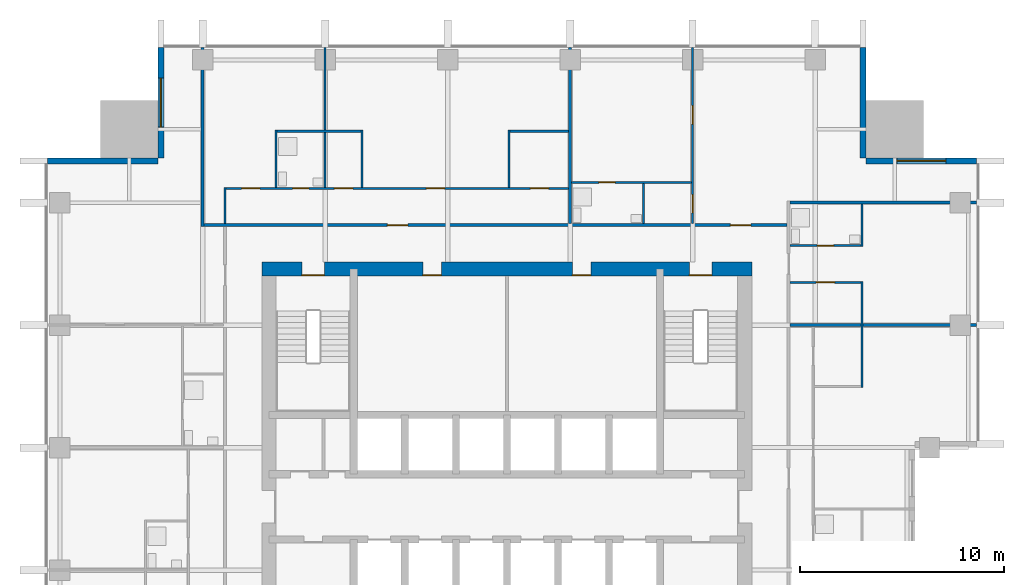
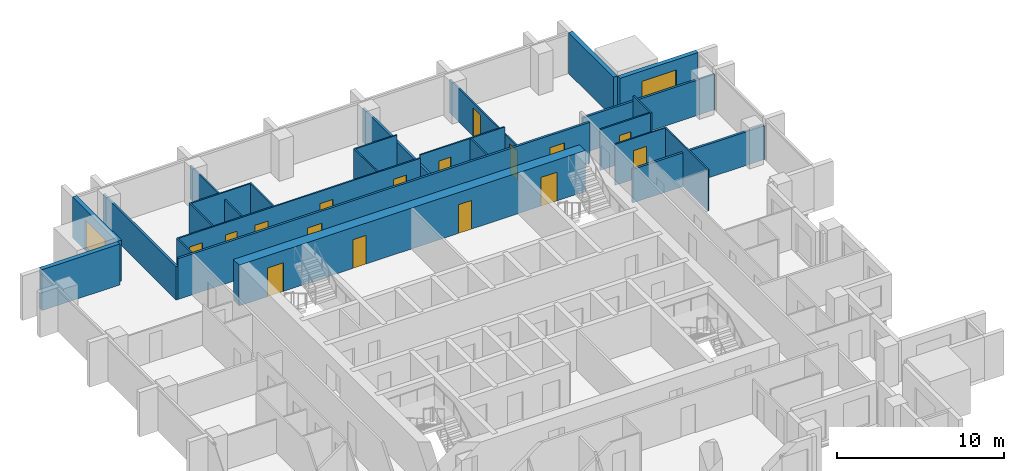
# One storey, part 7 of 10: 25 walls, 16 doors, 2 windows, 18 openings.
"""IFC4 building model written with IfcOpenShell, lengths in metres."""

from ifc_helpers import new_model, si_unit, direction, frame, frame_2d, origin, place, context, subcontext, project, spatial, rectangle, extrude, material, layer, layer_set, type_object, element, fill, save


model = new_model("IFC4")

# Units and contexts
model_context = context("Model", 3, precision=1e-05, world=origin(), true_north=direction((0.0, 1.0)))
body_context = subcontext(model_context, "Body", "Model", "MODEL_VIEW")
ifc_project = project(units=[si_unit("LENGTHUNIT", "METRE"), si_unit("AREAUNIT", "SQUARE_METRE"), si_unit("VOLUMEUNIT", "CUBIC_METRE"), si_unit("PLANEANGLEUNIT", "RADIAN"), si_unit("MASSUNIT", "GRAM", prefix="KILO")], contexts=[model_context])

# Site, building, storey
site_placement = place(None, origin())
site = spatial("IfcSite", under=ifc_project, at=site_placement, CompositionType="ELEMENT")
building_placement = place(site_placement, origin())
building = spatial("IfcBuilding", under=site, at=building_placement, Name="Amberfall Residences", CompositionType="ELEMENT")
storey_placement = place(building_placement, frame((0.0, 0.0, 147.10009765625)))
storey = spatial("IfcBuildingStorey", under=building, at=storey_placement, Name="L39", CompositionType="ELEMENT", Elevation=147.10009765625)

# Wall, opening, window
ifc_material_1 = material(Name="Pale stone cladding on insulated backing", Category="masonry")
ifc_layer_1 = layer(ifc_material_1, 0.300048828125)
ifc_layer_set_1 = layer_set([ifc_layer_1], Name="Bronze clad wall 300")
wall_type_1 = type_object("IfcWallType", Name="Bronze clad wall 300", PredefinedType="SOLIDWALL", material=ifc_layer_set_1)
wall_1_placement = place(storey_placement, frame((97.5, 62.449951171875, 0.0), z_axis=(0.0, 0.0, 1.0), x_axis=(-1.0, 0.0, 0.0)))
wall_1 = element("IfcWall", 1, at=wall_1_placement, inside=storey, type_object=wall_type_1, Name="External wall L39 NE", PredefinedType="SOLIDWALL", context=body_context, shape_type="SweptSolid", body=[
    extrude(rectangle(XDim=5.39990234375, YDim=0.300048828125, at=frame_2d((2.699951171875, 0.0))), origin(), (0.0, 0.0, 1.0), 3.0),
])
opening_1_placement = place(wall_1_placement, frame((1.5, 0.0, 0.14990234375)))
opening_1 = element("IfcOpeningElement", 2, at=opening_1_placement, cuts=wall_1, Name="Opening WN5", PredefinedType="OPENING", context=body_context, shape_type="SweptSolid", body=[
    extrude(rectangle(XDim=2.39990234375, YDim=2.10009765625, at=frame_2d((1.199951171875, 1.050048828125))), frame((0.0, 0.159912109375, 0.0), z_axis=(0.0, -1.0, 0.0), x_axis=(1.0, 0.0, 0.0)), (0.0, 0.0, 1.0), 0.320068359375),
])
ifc_material_2 = material(Name="Bronze aluminium framed glazing", Category="aluminium")
window_type = type_object("IfcWindowType", Name="Glazed opening 2400 x 2100 bronze", PartitioningType="DOUBLE_PANEL_VERTICAL", PredefinedType="WINDOW", material=ifc_material_2)
window_1_placement = place(opening_1_placement, origin())
window_1 = element("IfcWindow", 3, at=window_1_placement, inside=storey, type_object=window_type, Name="Window L39 NE", OverallHeight=2.10009765625, OverallWidth=2.39990234375, PartitioningType="DOUBLE_PANEL_VERTICAL", PredefinedType="WINDOW", context=body_context, shape_type="SweptSolid", body=[
    extrude(rectangle(XDim=2.39990234375, YDim=2.10009765625, at=frame_2d((1.199951171875, 1.050048828125))), frame((0.0, 0.030029296875, 0.0), z_axis=(0.0, -1.0, 0.0), x_axis=(1.0, 0.0, 0.0)), (0.0, 0.0, 1.0), 0.06005859375),
])
fill(opening_1, window_1)

# Wall
wall_2_placement = place(storey_placement, frame((91.949951171875, 62.60009765625, 0.0), z_axis=(0.0, 0.0, 1.0), x_axis=(0.0, 1.0, 0.0)))
element("IfcWall", 4, at=wall_2_placement, inside=storey, type_object=wall_type_1, Name="External wall L39 NE", PredefinedType="SOLIDWALL", context=body_context, shape_type="SweptSolid", body=[
    extrude(rectangle(XDim=5.39990234375, YDim=0.300048828125, at=frame_2d((2.699951171875, 0.0))), origin(), (0.0, 0.0, 1.0), 3.0),
])

# Wall, opening, window
wall_3_placement = place(storey_placement, frame((57.550048828125, 68.0, 0.0), z_axis=(0.0, 0.0, 1.0), x_axis=(0.0, -1.0, 0.0)))
wall_3 = element("IfcWall", 5, at=wall_3_placement, inside=storey, type_object=wall_type_1, Name="External wall L39 NW", PredefinedType="SOLIDWALL", context=body_context, shape_type="SweptSolid", body=[
    extrude(rectangle(XDim=5.39990234375, YDim=0.300048828125, at=frame_2d((2.699951171875, 0.0))), origin(), (0.0, 0.0, 1.0), 3.0),
])
opening_2_placement = place(wall_3_placement, frame((1.5, 0.0, 0.14990234375)))
opening_2 = element("IfcOpeningElement", 6, at=opening_2_placement, cuts=wall_3, Name="Opening WN5", PredefinedType="OPENING", context=body_context, shape_type="SweptSolid", body=[
    extrude(rectangle(XDim=2.39990234375, YDim=2.10009765625, at=frame_2d((1.199951171875, 1.050048828125))), frame((0.0, 0.159912109375, 0.0), z_axis=(0.0, -1.0, 0.0), x_axis=(1.0, 0.0, 0.0)), (0.0, 0.0, 1.0), 0.320068359375),
])
window_2_placement = place(opening_2_placement, origin())
window_2 = element("IfcWindow", 7, at=window_2_placement, inside=storey, type_object=window_type, Name="Window L39 NW", OverallHeight=2.10009765625, OverallWidth=2.39990234375, PartitioningType="DOUBLE_PANEL_VERTICAL", PredefinedType="WINDOW", context=body_context, shape_type="SweptSolid", body=[
    extrude(rectangle(XDim=2.39990234375, YDim=2.10009765625, at=frame_2d((1.199951171875, 1.050048828125))), frame((0.0, 0.030029296875, 0.0), z_axis=(0.0, -1.0, 0.0), x_axis=(1.0, 0.0, 0.0)), (0.0, 0.0, 1.0), 0.06005859375),
])
fill(opening_2, window_2)

# Wall
wall_4_placement = place(storey_placement, frame((57.39990234375, 62.449951171875, 0.0), z_axis=(0.0, 0.0, 1.0), x_axis=(-1.0, 0.0, 0.0)))
element("IfcWall", 8, at=wall_4_placement, inside=storey, type_object=wall_type_1, Name="External wall L39 NW", PredefinedType="SOLIDWALL", context=body_context, shape_type="SweptSolid", body=[
    extrude(rectangle(XDim=5.39990234375, YDim=0.300048828125, at=frame_2d((2.699951171875, 0.0))), origin(), (0.0, 0.0, 1.0), 3.0),
])

# Wall, openings, doors
ifc_material_3 = material(Name="Concrete C60", Category="concrete")
ifc_layer_2 = layer(ifc_material_3, 0.699951171875)
ifc_layer_set_2 = layer_set([ifc_layer_2], Name="Core wall 700 C60")
wall_type_2 = type_object("IfcWallType", Name="Core wall 700 C60", PredefinedType="SHEAR", material=ifc_layer_set_2)
wall_5_placement = place(storey_placement, frame((62.5, 57.14990234375, 0.0), z_axis=(0.0, 0.0, 1.0), x_axis=(1.0, 0.0, 0.0)))
wall_5 = element("IfcWall", 9, at=wall_5_placement, inside=storey, type_object=wall_type_2, Name="Core wall RW5 L39 ON", PredefinedType="SHEAR", context=body_context, shape_type="SweptSolid", body=[
    extrude(rectangle(XDim=24.0, YDim=0.699951171875, at=frame_2d((12.0, 0.0))), origin(), (0.0, 0.0, 1.0), 3.0),
])
opening_3_placement = place(wall_5_placement, frame((20.9375, 0.0, 0.0)))
opening_3 = element("IfcOpeningElement", 10, at=opening_3_placement, cuts=wall_5, Name="Opening SD1", PredefinedType="OPENING", context=body_context, shape_type="SweptSolid", body=[
    extrude(rectangle(XDim=1.10009765625, YDim=2.10009765625, at=frame_2d((0.550048828125, 1.050048828125))), frame((0.0, 0.35986328125, 0.0), z_axis=(0.0, -1.0, 0.0), x_axis=(1.0, 0.0, 0.0)), (0.0, 0.0, 1.0), 0.719970703125),
])
opening_4_placement = place(wall_5_placement, frame((1.96240234375, 0.0, 0.0)))
opening_4 = element("IfcOpeningElement", 11, at=opening_4_placement, cuts=wall_5, Name="Opening SD1", PredefinedType="OPENING", context=body_context, shape_type="SweptSolid", body=[
    extrude(rectangle(XDim=1.10009765625, YDim=2.10009765625, at=frame_2d((0.550048828125, 1.050048828125))), frame((0.0, 0.35986328125, 0.0), z_axis=(0.0, -1.0, 0.0), x_axis=(1.0, 0.0, 0.0)), (0.0, 0.0, 1.0), 0.719970703125),
])
opening_5_placement = place(wall_5_placement, frame((7.887451171875, 0.0, 0.0)))
opening_5 = element("IfcOpeningElement", 12, at=opening_5_placement, cuts=wall_5, Name="Opening RD1", PredefinedType="OPENING", context=body_context, shape_type="SweptSolid", body=[
    extrude(rectangle(XDim=0.89990234375, YDim=2.10009765625, at=frame_2d((0.449951171875, 1.050048828125))), frame((0.0, 0.35986328125, 0.0), z_axis=(0.0, -1.0, 0.0), x_axis=(1.0, 0.0, 0.0)), (0.0, 0.0, 1.0), 0.719970703125),
])
opening_6_placement = place(wall_5_placement, frame((15.21240234375, 0.0, 0.0)))
opening_6 = element("IfcOpeningElement", 13, at=opening_6_placement, cuts=wall_5, Name="Opening RD1", PredefinedType="OPENING", context=body_context, shape_type="SweptSolid", body=[
    extrude(rectangle(XDim=0.89990234375, YDim=2.10009765625, at=frame_2d((0.449951171875, 1.050048828125))), frame((0.0, 0.35986328125, 0.0), z_axis=(0.0, -1.0, 0.0), x_axis=(1.0, 0.0, 0.0)), (0.0, 0.0, 1.0), 0.719970703125),
])
ifc_material_4 = material(Name="Steel fire door set", Category="steel")
door_type_1 = type_object("IfcDoorType", Name="Service room door 900 x 2100", OperationType="SINGLE_SWING_LEFT", PredefinedType="DOOR", material=ifc_material_4)
door_1_placement = place(opening_5_placement, origin())
door_1 = element("IfcDoor", 14, at=door_1_placement, inside=storey, type_object=door_type_1, Name="RD1 L39", OperationType="SINGLE_SWING_RIGHT", OverallHeight=2.10009765625, OverallWidth=0.89990234375, PredefinedType="DOOR", context=body_context, shape_type="SweptSolid", body=[
    extrude(rectangle(XDim=0.89990234375, YDim=2.10009765625, at=frame_2d((0.449951171875, 1.050048828125))), frame((0.0, -0.28759765625, 0.0), z_axis=(0.0, -1.0, 0.0), x_axis=(1.0, 0.0, 0.0)), (0.0, 0.0, 1.0), 0.050048828125),
])
fill(opening_5, door_1)
door_2_placement = place(opening_6_placement, origin())
door_2 = element("IfcDoor", 15, at=door_2_placement, inside=storey, type_object=door_type_1, Name="RD1 L39", OperationType="SINGLE_SWING_RIGHT", OverallHeight=2.10009765625, OverallWidth=0.89990234375, PredefinedType="DOOR", context=body_context, shape_type="SweptSolid", body=[
    extrude(rectangle(XDim=0.89990234375, YDim=2.10009765625, at=frame_2d((0.449951171875, 1.050048828125))), frame((0.0, -0.28759765625, 0.0), z_axis=(0.0, -1.0, 0.0), x_axis=(1.0, 0.0, 0.0)), (0.0, 0.0, 1.0), 0.050048828125),
])
fill(opening_6, door_2)
door_type_2 = type_object("IfcDoorType", Name="Stair door 1100 x 2100", OperationType="SINGLE_SWING_LEFT", PredefinedType="DOOR", material=ifc_material_4)
door_3_placement = place(opening_3_placement, origin())
door_3 = element("IfcDoor", 16, at=door_3_placement, inside=storey, type_object=door_type_2, Name="SD1 L39", OperationType="SINGLE_SWING_RIGHT", OverallHeight=2.10009765625, OverallWidth=1.10009765625, PredefinedType="DOOR", context=body_context, shape_type="SweptSolid", body=[
    extrude(rectangle(XDim=1.10009765625, YDim=2.10009765625, at=frame_2d((0.550048828125, 1.050048828125))), frame((0.0, -0.28759765625, 0.0), z_axis=(0.0, -1.0, 0.0), x_axis=(1.0, 0.0, 0.0)), (0.0, 0.0, 1.0), 0.050048828125),
])
fill(opening_3, door_3)
door_4_placement = place(opening_4_placement, origin())
door_4 = element("IfcDoor", 17, at=door_4_placement, inside=storey, type_object=door_type_2, Name="SD1 L39", OperationType="SINGLE_SWING_LEFT", OverallHeight=2.10009765625, OverallWidth=1.10009765625, PredefinedType="DOOR", context=body_context, shape_type="SweptSolid", body=[
    extrude(rectangle(XDim=1.10009765625, YDim=2.10009765625, at=frame_2d((0.550048828125, 1.050048828125))), frame((0.0, -0.28759765625, 0.0), z_axis=(0.0, -1.0, 0.0), x_axis=(1.0, 0.0, 0.0)), (0.0, 0.0, 1.0), 0.050048828125),
])
fill(opening_4, door_4)

# Walls
ifc_material_5 = material(Name="Gypsum board on metal stud")
ifc_layer_3 = layer(ifc_material_5, 0.10009765625)
ifc_layer_set_3 = layer_set([ifc_layer_3], Name="Flat partition 100")
wall_type_3 = type_object("IfcWallType", Name="Flat partition 100", PredefinedType="PARTITIONING", material=ifc_layer_set_3)
wall_6_placement = place(storey_placement, frame((60.699951171875, 59.375, 0.0), z_axis=(0.0, 0.0, 1.0), x_axis=(0.0, 1.0, 0.0)))
element("IfcWall", 18, at=wall_6_placement, inside=storey, type_object=wall_type_3, Name="Partition 005", PredefinedType="PARTITIONING", context=body_context, shape_type="SweptSolid", body=[
    extrude(rectangle(XDim=1.77490234375, YDim=0.10009765625, at=frame_2d((0.887451171875, 0.0))), origin(), (0.0, 0.0, 1.0), 3.0),
])
wall_7_placement = place(storey_placement, frame((63.199951171875, 61.14990234375, 0.0), z_axis=(0.0, 0.0, 1.0), x_axis=(0.0, 1.0, 0.0)))
element("IfcWall", 19, at=wall_7_placement, inside=storey, type_object=wall_type_3, Name="Partition 006", PredefinedType="PARTITIONING", context=body_context, shape_type="SweptSolid", body=[
    extrude(rectangle(XDim=2.800048828125, YDim=0.10009765625, at=frame_2d((1.39990234375, 0.0))), origin(), (0.0, 0.0, 1.0), 3.0),
])
wall_8_placement = place(storey_placement, frame((65.60009765625, 61.14990234375, 0.0), z_axis=(0.0, 0.0, 1.0), x_axis=(0.0, 1.0, 0.0)))
element("IfcWall", 20, at=wall_8_placement, inside=storey, type_object=wall_type_3, Name="Partition 008", PredefinedType="PARTITIONING", context=body_context, shape_type="SweptSolid", body=[
    extrude(rectangle(XDim=6.85009765625, YDim=0.10009765625, at=frame_2d((3.425048828125, 0.0))), origin(), (0.0, 0.0, 1.0), 2.4658203125),
])
for number, where, z_axis, x_axis, name in (
    (21, (67.39990234375, 61.14990234375, 0.0), (0.0, 0.0, 1.0), (0.0, 1.0, 0.0), "Partition 009"),
    (22, (74.60009765625, 61.14990234375, 0.0), (0.0, 0.0, 1.0), (0.0, 1.0, 0.0), "Partition 012"),
):
    element("IfcWall", number, at=place(storey_placement, frame(where, z_axis=z_axis, x_axis=x_axis)), inside=storey, type_object=wall_type_3, Name=name, PredefinedType="PARTITIONING", context=body_context, shape_type="SweptSolid", body=[
        extrude(rectangle(XDim=2.800048828125, YDim=0.10009765625, at=frame_2d((1.39990234375, 0.0))), origin(), (0.0, 0.0, 1.0), 3.0),
    ])
wall_9_placement = place(storey_placement, frame((81.199951171875, 59.375, 0.0), z_axis=(0.0, 0.0, 1.0), x_axis=(0.0, 1.0, 0.0)))
element("IfcWall", 23, at=wall_9_placement, inside=storey, type_object=wall_type_3, Name="Partition 013", PredefinedType="PARTITIONING", context=body_context, shape_type="SweptSolid", body=[
    extrude(rectangle(XDim=1.97509765625, YDim=0.10009765625, at=frame_2d((0.987548828125, 0.0))), origin(), (0.0, 0.0, 1.0), 3.0),
])

# Wall, openings, doors
wall_10_placement = place(storey_placement, frame((83.60009765625, 59.375, 0.0), z_axis=(0.0, 0.0, 1.0), x_axis=(0.0, 1.0, 0.0)))
wall_10 = element("IfcWall", 24, at=wall_10_placement, inside=storey, type_object=wall_type_3, Name="Partition 015", PredefinedType="PARTITIONING", context=body_context, shape_type="SweptSolid", body=[
    extrude(rectangle(XDim=8.625, YDim=0.10009765625, at=frame_2d((4.3125, 0.0))), origin(), (0.0, 0.0, 1.0), 2.4658203125),
])
opening_7_placement = place(wall_10_placement, frame((0.52490234375, 0.0, 0.0)))
opening_7 = element("IfcOpeningElement", 25, at=opening_7_placement, cuts=wall_10, Name="Opening D41", PredefinedType="OPENING", context=body_context, shape_type="SweptSolid", body=[
    extrude(rectangle(XDim=0.89990234375, YDim=2.10009765625, at=frame_2d((0.449951171875, 1.050048828125))), frame((0.0, 0.06005859375, 0.0), z_axis=(0.0, -1.0, 0.0), x_axis=(1.0, 0.0, 0.0)), (0.0, 0.0, 1.0), 0.1201171875),
])
opening_8_placement = place(wall_10_placement, frame((4.875, 0.0, 0.0)))
opening_8 = element("IfcOpeningElement", 26, at=opening_8_placement, cuts=wall_10, Name="Opening D41", PredefinedType="OPENING", context=body_context, shape_type="SweptSolid", body=[
    extrude(rectangle(XDim=0.89990234375, YDim=2.10009765625, at=frame_2d((0.449951171875, 1.050048828125))), frame((0.0, 0.06005859375, 0.0), z_axis=(0.0, -1.0, 0.0), x_axis=(1.0, 0.0, 0.0)), (0.0, 0.0, 1.0), 0.1201171875),
])
ifc_material_6 = material(Name="Timber", Category="wood")
door_type_3 = type_object("IfcDoorType", Name="Internal door 900 x 2100", OperationType="SINGLE_SWING_LEFT", PredefinedType="DOOR", material=ifc_material_6)
door_5_placement = place(opening_7_placement, origin())
door_5 = element("IfcDoor", 27, at=door_5_placement, inside=storey, type_object=door_type_3, Name="Door 3907 kitchen", OperationType="SINGLE_SWING_LEFT", OverallHeight=2.10009765625, OverallWidth=0.89990234375, PredefinedType="DOOR", context=body_context, shape_type="SweptSolid", body=[
    extrude(rectangle(XDim=0.89990234375, YDim=2.10009765625, at=frame_2d((0.449951171875, 1.050048828125))), frame((0.0, 0.02490234375, 0.0), z_axis=(0.0, -1.0, 0.0), x_axis=(1.0, 0.0, 0.0)), (0.0, 0.0, 1.0), 0.050048828125),
])
fill(opening_7, door_5)
door_6_placement = place(opening_8_placement, origin())
door_6 = element("IfcDoor", 28, at=door_6_placement, inside=storey, type_object=door_type_3, Name="Door 3907 bedroom1", OperationType="SINGLE_SWING_LEFT", OverallHeight=2.10009765625, OverallWidth=0.89990234375, PredefinedType="DOOR", context=body_context, shape_type="SweptSolid", body=[
    extrude(rectangle(XDim=0.89990234375, YDim=2.10009765625, at=frame_2d((0.449951171875, 1.050048828125))), frame((0.0, 0.02490234375, 0.0), z_axis=(0.0, -1.0, 0.0), x_axis=(1.0, 0.0, 0.0)), (0.0, 0.0, 1.0), 0.050048828125),
])
fill(opening_8, door_6)

# Walls
wall_11_placement = place(storey_placement, frame((91.89990234375, 51.35009765625, 0.0), z_axis=(0.0, 0.0, 1.0), x_axis=(0.0, 1.0, 0.0)))
element("IfcWall", 29, at=wall_11_placement, inside=storey, type_object=wall_type_3, Name="Partition 020", PredefinedType="PARTITIONING", context=body_context, shape_type="SweptSolid", body=[
    extrude(rectangle(XDim=5.199951171875, YDim=0.10009765625, at=frame_2d((2.60009765625, 0.0))), origin(), (0.0, 0.0, 1.0), 3.0),
])
wall_12_placement = place(storey_placement, frame((91.89990234375, 58.25, 0.0), z_axis=(0.0, 0.0, 1.0), x_axis=(0.0, 1.0, 0.0)))
element("IfcWall", 30, at=wall_12_placement, inside=storey, type_object=wall_type_3, Name="Partition 021", PredefinedType="PARTITIONING", context=body_context, shape_type="SweptSolid", body=[
    extrude(rectangle(XDim=2.074951171875, YDim=0.10009765625, at=frame_2d((1.03759765625, 0.0))), origin(), (0.0, 0.0, 1.0), 3.0),
])
wall_13_placement = place(storey_placement, frame((63.25, 63.89990234375, 0.0), z_axis=(0.0, 0.0, 1.0), x_axis=(1.0, 0.0, 0.0)))
element("IfcWall", 31, at=wall_13_placement, inside=storey, type_object=wall_type_3, Name="Partition 022", PredefinedType="PARTITIONING", context=body_context, shape_type="SweptSolid", body=[
    extrude(rectangle(XDim=4.10009765625, YDim=0.10009765625, at=frame_2d((2.050048828125, 0.0))), origin(), (0.0, 0.0, 1.0), 3.0),
])
wall_14_placement = place(storey_placement, frame((74.64990234375, 63.89990234375, 0.0), z_axis=(0.0, 0.0, 1.0), x_axis=(1.0, 0.0, 0.0)))
element("IfcWall", 32, at=wall_14_placement, inside=storey, type_object=wall_type_3, Name="Partition 023", PredefinedType="PARTITIONING", context=body_context, shape_type="SweptSolid", body=[
    extrude(rectangle(XDim=2.875, YDim=0.10009765625, at=frame_2d((1.4375, 0.0))), origin(), (0.0, 0.0, 1.0), 3.0),
])

# Wall, opening, door
wall_15_placement = place(storey_placement, frame((83.550048828125, 61.39990234375, 0.0), z_axis=(0.0, 0.0, 1.0), x_axis=(-1.0, 0.0, 0.0)))
wall_15 = element("IfcWall", 33, at=wall_15_placement, inside=storey, type_object=wall_type_3, Name="Partition 024", PredefinedType="PARTITIONING", context=body_context, shape_type="SweptSolid", body=[
    extrude(rectangle(XDim=5.875, YDim=0.10009765625, at=frame_2d((2.9375, 0.0))), origin(), (0.0, 0.0, 1.0), 3.0),
])
opening_9_placement = place(wall_15_placement, frame((3.75, 0.0, 0.0)))
opening_9 = element("IfcOpeningElement", 34, at=opening_9_placement, cuts=wall_15, Name="Opening D42", PredefinedType="OPENING", context=body_context, shape_type="SweptSolid", body=[
    extrude(rectangle(XDim=0.800048828125, YDim=2.10009765625, at=frame_2d((0.39990234375, 1.050048828125))), frame((0.0, 0.06005859375, 0.0), z_axis=(0.0, -1.0, 0.0), x_axis=(1.0, 0.0, 0.0)), (0.0, 0.0, 1.0), 0.1201171875),
])
door_type_4 = type_object("IfcDoorType", Name="Bathroom door 800 x 2100", OperationType="SINGLE_SWING_LEFT", PredefinedType="DOOR", material=ifc_material_6)
door_7_placement = place(opening_9_placement, origin())
door_7 = element("IfcDoor", 35, at=door_7_placement, inside=storey, type_object=door_type_4, Name="Door 3907 bath1", OperationType="SINGLE_SWING_LEFT", OverallHeight=2.10009765625, OverallWidth=0.800048828125, PredefinedType="DOOR", context=body_context, shape_type="SweptSolid", body=[
    extrude(rectangle(XDim=0.800048828125, YDim=2.10009765625, at=frame_2d((0.39990234375, 1.050048828125))), frame((0.0, 0.02490234375, 0.0), z_axis=(0.0, -1.0, 0.0), x_axis=(1.0, 0.0, 0.0)), (0.0, 0.0, 1.0), 0.050048828125),
])
fill(opening_9, door_7)

# Wall, openings, doors
wall_16_placement = place(storey_placement, frame((60.75, 61.10009765625, 0.0), z_axis=(0.0, 0.0, 1.0), x_axis=(1.0, 0.0, 0.0)))
wall_16 = element("IfcWall", 36, at=wall_16_placement, inside=storey, type_object=wall_type_3, Name="Partition 025", PredefinedType="PARTITIONING", context=body_context, shape_type="SweptSolid", body=[
    extrude(rectangle(XDim=16.77490234375, YDim=0.10009765625, at=frame_2d((8.387451171875, 0.0))), origin(), (0.0, 0.0, 1.0), 3.0),
])
opening_10_placement = place(wall_16_placement, frame((9.800048828125, 0.0, 0.0)))
opening_10 = element("IfcOpeningElement", 37, at=opening_10_placement, cuts=wall_16, Name="Opening D41", PredefinedType="OPENING", context=body_context, shape_type="SweptSolid", body=[
    extrude(rectangle(XDim=0.89990234375, YDim=2.10009765625, at=frame_2d((0.449951171875, 1.050048828125))), frame((0.0, 0.06005859375, 0.0), z_axis=(0.0, -1.0, 0.0), x_axis=(1.0, 0.0, 0.0)), (0.0, 0.0, 1.0), 0.1201171875),
])
opening_11_placement = place(wall_16_placement, frame((14.89990234375, 0.0, 0.0)))
opening_11 = element("IfcOpeningElement", 38, at=opening_11_placement, cuts=wall_16, Name="Opening D41", PredefinedType="OPENING", context=body_context, shape_type="SweptSolid", body=[
    extrude(rectangle(XDim=0.89990234375, YDim=2.10009765625, at=frame_2d((0.449951171875, 1.050048828125))), frame((0.0, 0.06005859375, 0.0), z_axis=(0.0, -1.0, 0.0), x_axis=(1.0, 0.0, 0.0)), (0.0, 0.0, 1.0), 0.1201171875),
])
opening_12_placement = place(wall_16_placement, frame((5.300048828125, 0.0, 0.0)))
opening_12 = element("IfcOpeningElement", 39, at=opening_12_placement, cuts=wall_16, Name="Opening D41", PredefinedType="OPENING", context=body_context, shape_type="SweptSolid", body=[
    extrude(rectangle(XDim=0.89990234375, YDim=2.10009765625, at=frame_2d((0.449951171875, 1.050048828125))), frame((0.0, 0.06005859375, 0.0), z_axis=(0.0, -1.0, 0.0), x_axis=(1.0, 0.0, 0.0)), (0.0, 0.0, 1.0), 0.1201171875),
])
opening_13_placement = place(wall_16_placement, frame((0.75, 0.0, 0.0)))
opening_13 = element("IfcOpeningElement", 40, at=opening_13_placement, cuts=wall_16, Name="Opening D41", PredefinedType="OPENING", context=body_context, shape_type="SweptSolid", body=[
    extrude(rectangle(XDim=0.89990234375, YDim=2.10009765625, at=frame_2d((0.449951171875, 1.050048828125))), frame((0.0, 0.06005859375, 0.0), z_axis=(0.0, -1.0, 0.0), x_axis=(1.0, 0.0, 0.0)), (0.0, 0.0, 1.0), 0.1201171875),
])
opening_14_placement = place(wall_16_placement, frame((3.25, 0.0, 0.0)))
opening_14 = element("IfcOpeningElement", 41, at=opening_14_placement, cuts=wall_16, Name="Opening D42", PredefinedType="OPENING", context=body_context, shape_type="SweptSolid", body=[
    extrude(rectangle(XDim=0.800048828125, YDim=2.10009765625, at=frame_2d((0.39990234375, 1.050048828125))), frame((0.0, 0.06005859375, 0.0), z_axis=(0.0, -1.0, 0.0), x_axis=(1.0, 0.0, 0.0)), (0.0, 0.0, 1.0), 0.1201171875),
])
door_8_placement = place(opening_14_placement, origin())
door_8 = element("IfcDoor", 42, at=door_8_placement, inside=storey, type_object=door_type_4, Name="Door 3906 bath1", OperationType="SINGLE_SWING_LEFT", OverallHeight=2.10009765625, OverallWidth=0.800048828125, PredefinedType="DOOR", context=body_context, shape_type="SweptSolid", body=[
    extrude(rectangle(XDim=0.800048828125, YDim=2.10009765625, at=frame_2d((0.39990234375, 1.050048828125))), frame((0.0, 0.02490234375, 0.0), z_axis=(0.0, -1.0, 0.0), x_axis=(1.0, 0.0, 0.0)), (0.0, 0.0, 1.0), 0.050048828125),
])
fill(opening_14, door_8)
door_9_placement = place(opening_10_placement, origin())
door_9 = element("IfcDoor", 43, at=door_9_placement, inside=storey, type_object=door_type_3, Name="Door 3906 living", OperationType="SINGLE_SWING_LEFT", OverallHeight=2.10009765625, OverallWidth=0.89990234375, PredefinedType="DOOR", context=body_context, shape_type="SweptSolid", body=[
    extrude(rectangle(XDim=0.89990234375, YDim=2.10009765625, at=frame_2d((0.449951171875, 1.050048828125))), frame((0.0, 0.02490234375, 0.0), z_axis=(0.0, -1.0, 0.0), x_axis=(1.0, 0.0, 0.0)), (0.0, 0.0, 1.0), 0.050048828125),
])
fill(opening_10, door_9)
door_10_placement = place(opening_11_placement, origin())
door_10 = element("IfcDoor", 44, at=door_10_placement, inside=storey, type_object=door_type_3, Name="Door 3906 kitchen", OperationType="SINGLE_SWING_LEFT", OverallHeight=2.10009765625, OverallWidth=0.89990234375, PredefinedType="DOOR", context=body_context, shape_type="SweptSolid", body=[
    extrude(rectangle(XDim=0.89990234375, YDim=2.10009765625, at=frame_2d((0.449951171875, 1.050048828125))), frame((0.0, 0.02490234375, 0.0), z_axis=(0.0, -1.0, 0.0), x_axis=(1.0, 0.0, 0.0)), (0.0, 0.0, 1.0), 0.050048828125),
])
fill(opening_11, door_10)
door_11_placement = place(opening_12_placement, origin())
door_11 = element("IfcDoor", 45, at=door_11_placement, inside=storey, type_object=door_type_3, Name="Door 3906 store", OperationType="SINGLE_SWING_LEFT", OverallHeight=2.10009765625, OverallWidth=0.89990234375, PredefinedType="DOOR", context=body_context, shape_type="SweptSolid", body=[
    extrude(rectangle(XDim=0.89990234375, YDim=2.10009765625, at=frame_2d((0.449951171875, 1.050048828125))), frame((0.0, 0.02490234375, 0.0), z_axis=(0.0, -1.0, 0.0), x_axis=(1.0, 0.0, 0.0)), (0.0, 0.0, 1.0), 0.050048828125),
])
fill(opening_12, door_11)
door_12_placement = place(opening_13_placement, origin())
door_12 = element("IfcDoor", 46, at=door_12_placement, inside=storey, type_object=door_type_3, Name="Door 3906 bedroom1", OperationType="SINGLE_SWING_LEFT", OverallHeight=2.10009765625, OverallWidth=0.89990234375, PredefinedType="DOOR", context=body_context, shape_type="SweptSolid", body=[
    extrude(rectangle(XDim=0.89990234375, YDim=2.10009765625, at=frame_2d((0.449951171875, 1.050048828125))), frame((0.0, 0.02490234375, 0.0), z_axis=(0.0, -1.0, 0.0), x_axis=(1.0, 0.0, 0.0)), (0.0, 0.0, 1.0), 0.050048828125),
])
fill(opening_13, door_12)

# Wall, opening, door
wall_17_placement = place(storey_placement, frame((88.375, 58.300048828125, 0.0), z_axis=(0.0, 0.0, 1.0), x_axis=(1.0, 0.0, 0.0)))
wall_17 = element("IfcWall", 47, at=wall_17_placement, inside=storey, type_object=wall_type_3, Name="Partition 026", PredefinedType="PARTITIONING", context=body_context, shape_type="SweptSolid", body=[
    extrude(rectangle(XDim=3.47509765625, YDim=0.10009765625, at=frame_2d((1.737548828125, 0.0))), origin(), (0.0, 0.0, 1.0), 3.0),
])
opening_15_placement = place(wall_17_placement, frame((1.324951171875, 0.0, 0.0)))
opening_15 = element("IfcOpeningElement", 48, at=opening_15_placement, cuts=wall_17, Name="Opening D42", PredefinedType="OPENING", context=body_context, shape_type="SweptSolid", body=[
    extrude(rectangle(XDim=0.800048828125, YDim=2.10009765625, at=frame_2d((0.39990234375, 1.050048828125))), frame((0.0, 0.06005859375, 0.0), z_axis=(0.0, -1.0, 0.0), x_axis=(1.0, 0.0, 0.0)), (0.0, 0.0, 1.0), 0.1201171875),
])
door_13_placement = place(opening_15_placement, origin())
door_13 = element("IfcDoor", 49, at=door_13_placement, inside=storey, type_object=door_type_4, Name="Door 3905 bath1", OperationType="SINGLE_SWING_LEFT", OverallHeight=2.10009765625, OverallWidth=0.800048828125, PredefinedType="DOOR", context=body_context, shape_type="SweptSolid", body=[
    extrude(rectangle(XDim=0.800048828125, YDim=2.10009765625, at=frame_2d((0.39990234375, 1.050048828125))), frame((0.0, 0.02490234375, 0.0), z_axis=(0.0, -1.0, 0.0), x_axis=(1.0, 0.0, 0.0)), (0.0, 0.0, 1.0), 0.050048828125),
])
fill(opening_15, door_13)

wall_18_placement = place(storey_placement, frame((91.85009765625, 56.5, 0.0), z_axis=(0.0, 0.0, 1.0), x_axis=(-1.0, 0.0, 0.0)))
wall_18 = element("IfcWall", 50, at=wall_18_placement, inside=storey, type_object=wall_type_3, Name="Partition 027", PredefinedType="PARTITIONING", context=body_context, shape_type="SweptSolid", body=[
    extrude(rectangle(XDim=3.47509765625, YDim=0.10009765625, at=frame_2d((1.737548828125, 0.0))), origin(), (0.0, 0.0, 1.0), 3.0),
])
opening_16_placement = place(wall_18_placement, frame((1.300048828125, 0.0, 0.0)))
opening_16 = element("IfcOpeningElement", 51, at=opening_16_placement, cuts=wall_18, Name="Opening D41", PredefinedType="OPENING", context=body_context, shape_type="SweptSolid", body=[
    extrude(rectangle(XDim=0.89990234375, YDim=2.10009765625, at=frame_2d((0.449951171875, 1.050048828125))), frame((0.0, 0.06005859375, 0.0), z_axis=(0.0, -1.0, 0.0), x_axis=(1.0, 0.0, 0.0)), (0.0, 0.0, 1.0), 0.1201171875),
])
door_14_placement = place(opening_16_placement, origin())
door_14 = element("IfcDoor", 52, at=door_14_placement, inside=storey, type_object=door_type_3, Name="Door 3905 kitchen", OperationType="SINGLE_SWING_LEFT", OverallHeight=2.10009765625, OverallWidth=0.89990234375, PredefinedType="DOOR", context=body_context, shape_type="SweptSolid", body=[
    extrude(rectangle(XDim=0.89990234375, YDim=2.10009765625, at=frame_2d((0.449951171875, 1.050048828125))), frame((0.0, 0.02490234375, 0.0), z_axis=(0.0, -1.0, 0.0), x_axis=(1.0, 0.0, 0.0)), (0.0, 0.0, 1.0), 0.050048828125),
])
fill(opening_16, door_14)

# Walls
ifc_material_7 = material(Name="Blockwork, plastered", Category="masonry")
ifc_layer_4 = layer(ifc_material_7, 0.14990234375)
ifc_layer_set_4 = layer_set([ifc_layer_4], Name="Flat separating wall 150")
wall_type_4 = type_object("IfcWallType", Name="Flat separating wall 150", PredefinedType="PARTITIONING", material=ifc_layer_set_4)
wall_19_placement = place(storey_placement, frame((59.60009765625, 59.22509765625, 0.0), z_axis=(0.0, 0.0, 1.0), x_axis=(0.0, 1.0, 0.0)))
element("IfcWall", 53, at=wall_19_placement, inside=storey, type_object=wall_type_4, Name="Separating wall 043", PredefinedType="PARTITIONING", context=body_context, shape_type="SweptSolid", body=[
    extrude(rectangle(XDim=8.77490234375, YDim=0.14990234375, at=frame_2d((4.387451171875, 0.0))), origin(), (0.0, 0.0, 1.0), 2.4599609375),
])
wall_20_placement = place(storey_placement, frame((77.60009765625, 59.375, 0.0), z_axis=(0.0, 0.0, 1.0), x_axis=(0.0, 1.0, 0.0)))
element("IfcWall", 54, at=wall_20_placement, inside=storey, type_object=wall_type_4, Name="Separating wall 046", PredefinedType="PARTITIONING", context=body_context, shape_type="SweptSolid", body=[
    extrude(rectangle(XDim=8.625, YDim=0.14990234375, at=frame_2d((4.3125, 0.0))), origin(), (0.0, 0.0, 1.0), 2.4658203125),
])
wall_21_placement = place(storey_placement, frame((88.375, 60.39990234375, 0.0), z_axis=(0.0, 0.0, 1.0), x_axis=(1.0, 0.0, 0.0)))
element("IfcWall", 55, at=wall_21_placement, inside=storey, type_object=wall_type_4, Name="Separating wall 049", PredefinedType="PARTITIONING", context=body_context, shape_type="SweptSolid", body=[
    extrude(rectangle(XDim=9.125, YDim=0.14990234375, at=frame_2d((4.5625, 0.0))), origin(), (0.0, 0.0, 1.0), 2.596923828125),
])

# Wall, openings, doors
wall_22_placement = place(storey_placement, frame((59.675048828125, 59.300048828125, 0.0), z_axis=(0.0, 0.0, 1.0), x_axis=(1.0, 0.0, 0.0)))
wall_22 = element("IfcWall", 56, at=wall_22_placement, inside=storey, type_object=wall_type_4, Name="Separating wall 050", PredefinedType="PARTITIONING", context=body_context, shape_type="SweptSolid", body=[
    extrude(rectangle(XDim=28.550048828125, YDim=0.14990234375, at=frame_2d((14.27490234375, 0.0))), origin(), (0.0, 0.0, 1.0), 3.0),
])
opening_17_placement = place(wall_22_placement, frame((8.97509765625, 0.0, 0.0)))
opening_17 = element("IfcOpeningElement", 57, at=opening_17_placement, cuts=wall_22, Name="Opening D40", PredefinedType="OPENING", context=body_context, shape_type="SweptSolid", body=[
    extrude(rectangle(XDim=1.0, YDim=2.10009765625, at=frame_2d((0.5, 1.050048828125))), frame((0.0, 0.0849609375, 0.0), z_axis=(0.0, -1.0, 0.0), x_axis=(1.0, 0.0, 0.0)), (0.0, 0.0, 1.0), 0.169921875),
])
opening_18_placement = place(wall_22_placement, frame((25.77490234375, 0.0, 0.0)))
opening_18 = element("IfcOpeningElement", 58, at=opening_18_placement, cuts=wall_22, Name="Opening D40", PredefinedType="OPENING", context=body_context, shape_type="SweptSolid", body=[
    extrude(rectangle(XDim=1.0, YDim=2.10009765625, at=frame_2d((0.5, 1.050048828125))), frame((0.0, 0.0849609375, 0.0), z_axis=(0.0, -1.0, 0.0), x_axis=(1.0, 0.0, 0.0)), (0.0, 0.0, 1.0), 0.169921875),
])
ifc_material_8 = material(Name="Timber, fire-rated", Category="wood")
door_type_5 = type_object("IfcDoorType", Name="Flat entrance door FD60 1000 x 2100", OperationType="SINGLE_SWING_LEFT", PredefinedType="DOOR", material=ifc_material_8)
door_15_placement = place(opening_17_placement, origin())
door_15 = element("IfcDoor", 59, at=door_15_placement, inside=storey, type_object=door_type_5, Name="Door 3906 entrance", OperationType="SINGLE_SWING_LEFT", OverallHeight=2.10009765625, OverallWidth=1.0, PredefinedType="DOOR", context=body_context, shape_type="SweptSolid", body=[
    extrude(rectangle(XDim=1.0, YDim=2.10009765625, at=frame_2d((0.5, 1.050048828125))), frame((0.0, 0.02490234375, 0.0), z_axis=(0.0, -1.0, 0.0), x_axis=(1.0, 0.0, 0.0)), (0.0, 0.0, 1.0), 0.050048828125),
])
fill(opening_17, door_15)
door_16_placement = place(opening_18_placement, origin())
door_16 = element("IfcDoor", 60, at=door_16_placement, inside=storey, type_object=door_type_5, Name="Door 3907 entrance", OperationType="SINGLE_SWING_LEFT", OverallHeight=2.10009765625, OverallWidth=1.0, PredefinedType="DOOR", context=body_context, shape_type="SweptSolid", body=[
    extrude(rectangle(XDim=1.0, YDim=2.10009765625, at=frame_2d((0.5, 1.050048828125))), frame((0.0, 0.02490234375, 0.0), z_axis=(0.0, -1.0, 0.0), x_axis=(1.0, 0.0, 0.0)), (0.0, 0.0, 1.0), 0.050048828125),
])
fill(opening_18, door_16)

# Wall
wall_23_placement = place(storey_placement, frame((88.375, 54.39990234375, 0.0), z_axis=(0.0, 0.0, 1.0), x_axis=(1.0, 0.0, 0.0)))
element("IfcWall", 61, at=wall_23_placement, inside=storey, type_object=wall_type_4, Name="Separating wall 051", PredefinedType="PARTITIONING", context=body_context, shape_type="SweptSolid", body=[
    extrude(rectangle(XDim=9.125, YDim=0.14990234375, at=frame_2d((4.5625, 0.0))), origin(), (0.0, 0.0, 1.0), 2.4658203125),
])

save(model, "model.ifc")
